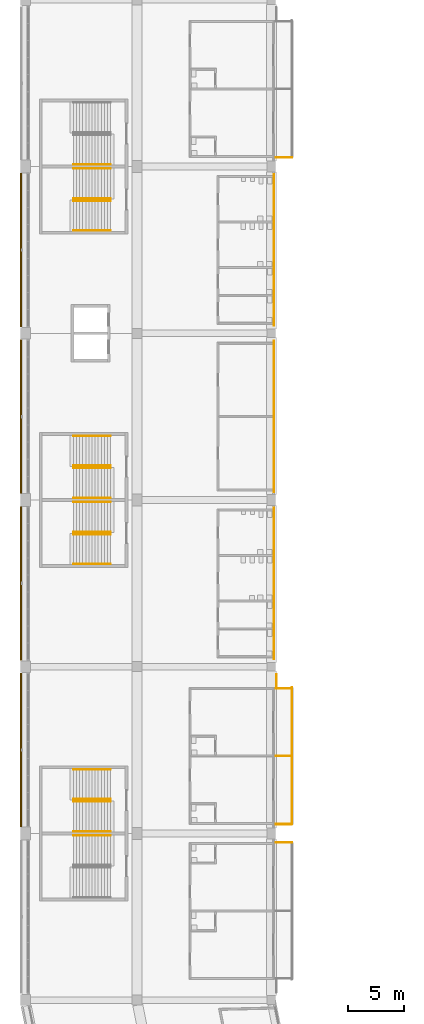
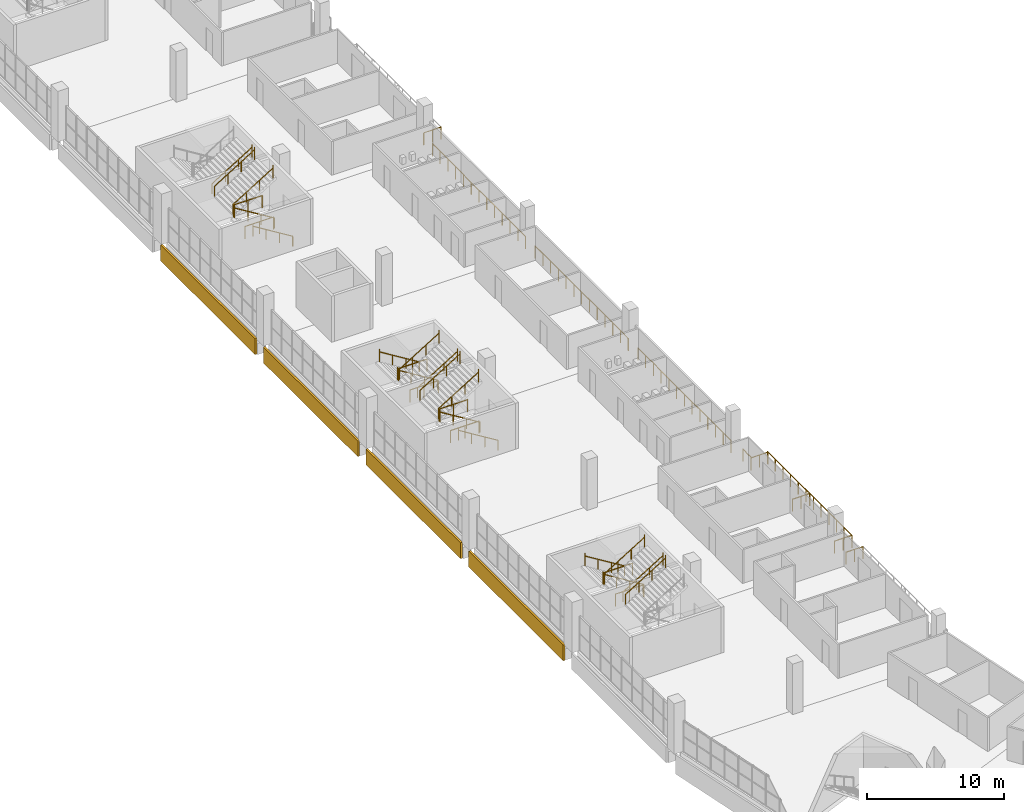
# One storey, part 186 of 199: 36 railings, 4 coverings.
"""IFC4 building model written with IfcOpenShell, lengths in metres."""

from ifc_helpers import new_model, si_unit, direction, frame, origin, origin_2d, place, context, subcontext, project, spatial, polyline, circle, outline, extrude, material, layer, layer_set, type_object, element, save


model = new_model("IFC4")

# Units and contexts
model_context = context("Model", 3, precision=1e-05, world=origin(), true_north=direction((0.0, 1.0)))
body_context = subcontext(model_context, "Body", "Model", "MODEL_VIEW")
ifc_project = project(units=[si_unit("LENGTHUNIT", "METRE"), si_unit("AREAUNIT", "SQUARE_METRE"), si_unit("VOLUMEUNIT", "CUBIC_METRE"), si_unit("PLANEANGLEUNIT", "RADIAN"), si_unit("MASSUNIT", "GRAM", prefix="KILO")], contexts=[model_context])

# Site, building, storey
site_placement = place(None, origin())
site = spatial("IfcSite", under=ifc_project, at=site_placement, CompositionType="ELEMENT")
building_placement = place(site_placement, origin())
building = spatial("IfcBuilding", under=site, at=building_placement, Name="Ogive Plaza Stadium", CompositionType="ELEMENT")
storey_placement = place(building_placement, frame((0.0, 0.0, 9.0)))
storey = spatial("IfcBuildingStorey", under=building, at=storey_placement, Name="L02", CompositionType="ELEMENT", Elevation=9.0)

# Railings
ifc_material_1 = material(Name="Steel ASTM A572 Grade 50", Category="steel")
railing_type_1 = type_object("IfcRailingType", Name="Guard 1100", PredefinedType="GUARDRAIL", material=ifc_material_1)
for number, where, name in (
    (1, (-76.35009765625, -34.52490234375, 0.0), "Stair well guard ST22A L02"),
    (2, (-77.31005859375, -34.52490234375, 2.25), "Stair well guard ST22A L02"),
    (3, (-76.35009765625, -4.52490234375, 0.0), "Stair well guard ST24A L02"),
    (4, (-77.31005859375, -4.52490234375, 2.25), "Stair well guard ST24A L02"),
    (5, (-76.35009765625, -10.47509765625, 0.0), "Stair well guard ST24B L02"),
    (6, (-77.31005859375, -10.47509765625, 2.25), "Stair well guard ST24B L02"),
    (7, (-76.35009765625, 19.52490234375, 0.0), "Stair well guard ST26B L02"),
    (8, (-77.31005859375, 19.52490234375, 2.25), "Stair well guard ST26B L02"),
):
    element("IfcRailing", number, at=place(storey_placement, frame(where)), inside=storey, type_object=railing_type_1, Name=name, PredefinedType="GUARDRAIL", context=body_context, shape_type="SweptSolid", body=[
        extrude(circle(Radius=0.02392578125, at=origin_2d()), frame((0.0, 0.0, 1.076171875), z_axis=(-1.0, 0.0, 0.0), x_axis=(0.0, -1.0, 0.0)), (0.0, 0.0, 1.0), 2.39990234375),
        extrude(circle(Radius=0.02099609375, at=origin_2d()), origin(), (0.0, 0.0, 1.0), 1.052001953125),
        extrude(circle(Radius=0.02099609375, at=origin_2d()), frame((-1.199951171875, 0.0, 0.0)), (0.0, 0.0, 1.0), 1.052001953125),
        extrude(circle(Radius=0.02099609375, at=origin_2d()), frame((-2.39990234375, 0.0, 0.0)), (0.0, 0.0, 1.0), 1.052001953125),
    ])
railing_1_placement = place(storey_placement, frame((-61.64990234375, -21.800048828125, 0.0)))
element("IfcRailing", 9, at=railing_1_placement, inside=storey, type_object=railing_type_1, Name="Guard L02 B23", PredefinedType="GUARDRAIL", context=body_context, shape_type="SweptSolid", body=[
    extrude(circle(Radius=0.02392578125, at=origin_2d()), frame((0.0, 0.0, 1.076171875), z_axis=(0.0, 1.0, 0.0), x_axis=(-1.0, 0.0, 0.0)), (0.0, 0.0, 1.0), 13.60009765625),
    extrude(circle(Radius=0.02099609375, at=origin_2d()), origin(), (0.0, 0.0, 1.0), 1.052001953125),
    extrude(circle(Radius=0.02099609375, at=origin_2d()), frame((0.0, 1.13330078125, 0.0)), (0.0, 0.0, 1.0), 1.052001953125),
    extrude(circle(Radius=0.02099609375, at=origin_2d()), frame((0.0, 2.2666015625, 0.0)), (0.0, 0.0, 1.0), 1.052001953125),
    extrude(circle(Radius=0.02099609375, at=origin_2d()), frame((0.0, 3.39990234375, 0.0)), (0.0, 0.0, 1.0), 1.052001953125),
    extrude(circle(Radius=0.02099609375, at=origin_2d()), frame((0.0, 4.533447265625, 0.0)), (0.0, 0.0, 1.0), 1.052001953125),
    extrude(circle(Radius=0.02099609375, at=origin_2d()), frame((0.0, 5.666748046875, 0.0)), (0.0, 0.0, 1.0), 1.052001953125),
    extrude(circle(Radius=0.02099609375, at=origin_2d()), frame((0.0, 6.800048828125, 0.0)), (0.0, 0.0, 1.0), 1.052001953125),
    extrude(circle(Radius=0.02099609375, at=origin_2d()), frame((0.0, 7.933349609375, 0.0)), (0.0, 0.0, 1.0), 1.052001953125),
    extrude(circle(Radius=0.02099609375, at=origin_2d()), frame((0.0, 9.066650390625, 0.0)), (0.0, 0.0, 1.0), 1.052001953125),
    extrude(circle(Radius=0.02099609375, at=origin_2d()), frame((0.0, 10.2001953125, 0.0)), (0.0, 0.0, 1.0), 1.052001953125),
    extrude(circle(Radius=0.02099609375, at=origin_2d()), frame((0.0, 11.33349609375, 0.0)), (0.0, 0.0, 1.0), 1.052001953125),
    extrude(circle(Radius=0.02099609375, at=origin_2d()), frame((0.0, 12.466796875, 0.0)), (0.0, 0.0, 1.0), 1.052001953125),
    extrude(circle(Radius=0.02099609375, at=origin_2d()), frame((0.0, 13.60009765625, 0.0)), (0.0, 0.0, 1.0), 1.052001953125),
])
railing_2_placement = place(storey_placement, frame((-61.64990234375, -6.800048828125, 0.0)))
element("IfcRailing", 10, at=railing_2_placement, inside=storey, type_object=railing_type_1, Name="Guard L02 B24", PredefinedType="GUARDRAIL", context=body_context, shape_type="SweptSolid", body=[
    extrude(circle(Radius=0.02392578125, at=origin_2d()), frame((0.0, 0.0, 1.076171875), z_axis=(0.0, 1.0, 0.0), x_axis=(-1.0, 0.0, 0.0)), (0.0, 0.0, 1.0), 13.60009765625),
    extrude(circle(Radius=0.02099609375, at=origin_2d()), origin(), (0.0, 0.0, 1.0), 1.052001953125),
    extrude(circle(Radius=0.02099609375, at=origin_2d()), frame((0.0, 1.13330078125, 0.0)), (0.0, 0.0, 1.0), 1.052001953125),
    extrude(circle(Radius=0.02099609375, at=origin_2d()), frame((0.0, 2.2666015625, 0.0)), (0.0, 0.0, 1.0), 1.052001953125),
    extrude(circle(Radius=0.02099609375, at=origin_2d()), frame((0.0, 3.39990234375, 0.0)), (0.0, 0.0, 1.0), 1.052001953125),
    extrude(circle(Radius=0.02099609375, at=origin_2d()), frame((0.0, 4.533447265625, 0.0)), (0.0, 0.0, 1.0), 1.052001953125),
    extrude(circle(Radius=0.02099609375, at=origin_2d()), frame((0.0, 5.666748046875, 0.0)), (0.0, 0.0, 1.0), 1.052001953125),
    extrude(circle(Radius=0.02099609375, at=origin_2d()), frame((0.0, 6.800048828125, 0.0)), (0.0, 0.0, 1.0), 1.052001953125),
    extrude(circle(Radius=0.02099609375, at=origin_2d()), frame((0.0, 7.933349609375, 0.0)), (0.0, 0.0, 1.0), 1.052001953125),
    extrude(circle(Radius=0.02099609375, at=origin_2d()), frame((0.0, 9.066650390625, 0.0)), (0.0, 0.0, 1.0), 1.052001953125),
    extrude(circle(Radius=0.02099609375, at=origin_2d()), frame((0.0, 10.2001953125, 0.0)), (0.0, 0.0, 1.0), 1.052001953125),
    extrude(circle(Radius=0.02099609375, at=origin_2d()), frame((0.0, 11.33349609375, 0.0)), (0.0, 0.0, 1.0), 1.052001953125),
    extrude(circle(Radius=0.02099609375, at=origin_2d()), frame((0.0, 12.466796875, 0.0)), (0.0, 0.0, 1.0), 1.052001953125),
    extrude(circle(Radius=0.02099609375, at=origin_2d()), frame((0.0, 13.60009765625, 0.0)), (0.0, 0.0, 1.0), 1.052001953125),
])
railing_3_placement = place(storey_placement, frame((-61.64990234375, 8.199951171875, 0.0)))
element("IfcRailing", 11, at=railing_3_placement, inside=storey, type_object=railing_type_1, Name="Guard L02 B25", PredefinedType="GUARDRAIL", context=body_context, shape_type="SweptSolid", body=[
    extrude(circle(Radius=0.02392578125, at=origin_2d()), frame((0.0, 0.0, 1.076171875), z_axis=(0.0, 1.0, 0.0), x_axis=(-1.0, 0.0, 0.0)), (0.0, 0.0, 1.0), 13.60009765625),
    extrude(circle(Radius=0.02099609375, at=origin_2d()), origin(), (0.0, 0.0, 1.0), 1.052001953125),
    extrude(circle(Radius=0.02099609375, at=origin_2d()), frame((0.0, 1.13330078125, 0.0)), (0.0, 0.0, 1.0), 1.052001953125),
    extrude(circle(Radius=0.02099609375, at=origin_2d()), frame((0.0, 2.2666015625, 0.0)), (0.0, 0.0, 1.0), 1.052001953125),
    extrude(circle(Radius=0.02099609375, at=origin_2d()), frame((0.0, 3.39990234375, 0.0)), (0.0, 0.0, 1.0), 1.052001953125),
    extrude(circle(Radius=0.02099609375, at=origin_2d()), frame((0.0, 4.533447265625, 0.0)), (0.0, 0.0, 1.0), 1.052001953125),
    extrude(circle(Radius=0.02099609375, at=origin_2d()), frame((0.0, 5.666748046875, 0.0)), (0.0, 0.0, 1.0), 1.052001953125),
    extrude(circle(Radius=0.02099609375, at=origin_2d()), frame((0.0, 6.800048828125, 0.0)), (0.0, 0.0, 1.0), 1.052001953125),
    extrude(circle(Radius=0.02099609375, at=origin_2d()), frame((0.0, 7.933349609375, 0.0)), (0.0, 0.0, 1.0), 1.052001953125),
    extrude(circle(Radius=0.02099609375, at=origin_2d()), frame((0.0, 9.066650390625, 0.0)), (0.0, 0.0, 1.0), 1.052001953125),
    extrude(circle(Radius=0.02099609375, at=origin_2d()), frame((0.0, 10.2001953125, 0.0)), (0.0, 0.0, 1.0), 1.052001953125),
    extrude(circle(Radius=0.02099609375, at=origin_2d()), frame((0.0, 11.33349609375, 0.0)), (0.0, 0.0, 1.0), 1.052001953125),
    extrude(circle(Radius=0.02099609375, at=origin_2d()), frame((0.0, 12.466796875, 0.0)), (0.0, 0.0, 1.0), 1.052001953125),
    extrude(circle(Radius=0.02099609375, at=origin_2d()), frame((0.0, 13.60009765625, 0.0)), (0.0, 0.0, 1.0), 1.052001953125),
])
railing_4_placement = place(storey_placement, frame((-60.050048828125, -38.324951171875, 0.0)))
element("IfcRailing", 12, at=railing_4_placement, inside=storey, type_object=railing_type_1, Name="Terrace screen B21", PredefinedType="GUARDRAIL", context=body_context, shape_type="SweptSolid", body=[
    extrude(circle(Radius=0.02392578125, at=origin_2d()), frame((0.0, 0.0, 1.076171875), z_axis=(-1.0, 0.0, 0.0), x_axis=(0.0, -1.0, 0.0)), (0.0, 0.0, 1.0), 1.449951171875),
    extrude(circle(Radius=0.02099609375, at=origin_2d()), origin(), (0.0, 0.0, 1.0), 1.052001953125),
    extrude(circle(Radius=0.02099609375, at=origin_2d()), frame((-0.72509765625, 0.0, 0.0)), (0.0, 0.0, 1.0), 1.052001953125),
    extrude(circle(Radius=0.02099609375, at=origin_2d()), frame((-1.449951171875, 0.0, 0.0)), (0.0, 0.0, 1.0), 1.052001953125),
])
railing_5_placement = place(storey_placement, frame((-60.050048828125, -36.675048828125, 0.0)))
element("IfcRailing", 13, at=railing_5_placement, inside=storey, type_object=railing_type_1, Name="Terrace guard B22", PredefinedType="GUARDRAIL", context=body_context, shape_type="SweptSolid", body=[
    extrude(circle(Radius=0.02392578125, at=origin_2d()), frame((0.0, 0.0, 1.076171875), z_axis=(0.0, 1.0, 0.0), x_axis=(-1.0, 0.0, 0.0)), (0.0, 0.0, 1.0), 12.300048828125),
    extrude(circle(Radius=0.02099609375, at=origin_2d()), origin(), (0.0, 0.0, 1.0), 1.052001953125),
    extrude(circle(Radius=0.02099609375, at=origin_2d()), frame((0.0, 1.1181640625, 0.0)), (0.0, 0.0, 1.0), 1.052001953125),
    extrude(circle(Radius=0.02099609375, at=origin_2d()), frame((0.0, 2.236328125, 0.0)), (0.0, 0.0, 1.0), 1.052001953125),
    extrude(circle(Radius=0.02099609375, at=origin_2d()), frame((0.0, 3.3544921875, 0.0)), (0.0, 0.0, 1.0), 1.052001953125),
    extrude(circle(Radius=0.02099609375, at=origin_2d()), frame((0.0, 4.47265625, 0.0)), (0.0, 0.0, 1.0), 1.052001953125),
    extrude(circle(Radius=0.02099609375, at=origin_2d()), frame((0.0, 5.5908203125, 0.0)), (0.0, 0.0, 1.0), 1.052001953125),
    extrude(circle(Radius=0.02099609375, at=origin_2d()), frame((0.0, 6.709228515625, 0.0)), (0.0, 0.0, 1.0), 1.052001953125),
    extrude(circle(Radius=0.02099609375, at=origin_2d()), frame((0.0, 7.827392578125, 0.0)), (0.0, 0.0, 1.0), 1.052001953125),
    extrude(circle(Radius=0.02099609375, at=origin_2d()), frame((0.0, 8.945556640625, 0.0)), (0.0, 0.0, 1.0), 1.052001953125),
    extrude(circle(Radius=0.02099609375, at=origin_2d()), frame((0.0, 10.063720703125, 0.0)), (0.0, 0.0, 1.0), 1.052001953125),
    extrude(circle(Radius=0.02099609375, at=origin_2d()), frame((0.0, 11.181884765625, 0.0)), (0.0, 0.0, 1.0), 1.052001953125),
    extrude(circle(Radius=0.02099609375, at=origin_2d()), frame((0.0, 12.300048828125, 0.0)), (0.0, 0.0, 1.0), 1.052001953125),
])
railing_6_placement = place(storey_placement, frame((-61.449951171875, -24.375, 0.0)))
element("IfcRailing", 14, at=railing_6_placement, inside=storey, type_object=railing_type_1, Name="Floor edge guard B22", PredefinedType="GUARDRAIL", context=body_context, shape_type="SweptSolid", body=[
    extrude(circle(Radius=0.02392578125, at=origin_2d()), frame((0.0, 0.0, 1.076171875), z_axis=(0.0, 1.0, 0.0), x_axis=(-1.0, 0.0, 0.0)), (0.0, 0.0, 1.0), 1.175048828125),
    extrude(circle(Radius=0.02099609375, at=origin_2d()), origin(), (0.0, 0.0, 1.0), 1.052001953125),
    extrude(circle(Radius=0.02099609375, at=origin_2d()), frame((0.0, 1.175048828125, 0.0)), (0.0, 0.0, 1.0), 1.052001953125),
])
for number, where, name in (
    (15, (-60.050048828125, -36.675048828125, 0.0), "Terrace screen B22"),
    (16, (-60.050048828125, -30.52490234375, 0.0), "Terrace screen B22"),
    (17, (-60.050048828125, -24.449951171875, 0.0), "Terrace screen B22"),
    (18, (-60.050048828125, 23.324951171875, 0.0), "Terrace screen B26"),
):
    element("IfcRailing", number, at=place(storey_placement, frame(where)), inside=storey, type_object=railing_type_1, Name=name, PredefinedType="GUARDRAIL", context=body_context, shape_type="SweptSolid", body=[
        extrude(circle(Radius=0.02392578125, at=origin_2d()), frame((0.0, 0.0, 1.076171875), z_axis=(-1.0, 0.0, 0.0), x_axis=(0.0, -1.0, 0.0)), (0.0, 0.0, 1.0), 1.449951171875),
        extrude(circle(Radius=0.02099609375, at=origin_2d()), origin(), (0.0, 0.0, 1.0), 1.052001953125),
        extrude(circle(Radius=0.02099609375, at=origin_2d()), frame((-0.72509765625, 0.0, 0.0)), (0.0, 0.0, 1.0), 1.052001953125),
        extrude(circle(Radius=0.02099609375, at=origin_2d()), frame((-1.449951171875, 0.0, 0.0)), (0.0, 0.0, 1.0), 1.052001953125),
    ])
ifc_material_2 = material(Name="Steel ASTM A572 Grade 50", Category="steel")
railing_type_2 = type_object("IfcRailingType", Name="Handrail 900", PredefinedType="HANDRAIL", material=ifc_material_2)
for number, where, name in (
    (19, (-76.35009765625, -31.735107421875, 0.173095703125), "Handrail ST22A L02"),
    (20, (-76.35009765625, -34.4150390625, 0.173095703125), "Handrail ST22A L02"),
):
    element("IfcRailing", number, at=place(storey_placement, frame(where)), inside=storey, type_object=railing_type_2, Name=name, PredefinedType="HANDRAIL", context=body_context, shape_type="SweptSolid", body=[
        extrude(circle(Radius=0.02392578125, at=origin_2d()), frame((0.0, 0.0, 0.8759765625), z_axis=(-0.850606129759, 0.0, 0.525803396734), x_axis=(0.0, -1.0, 0.0)), (0.0, 0.0, 1.0), 3.949951171875),
        extrude(circle(Radius=0.02099609375, at=origin_2d()), origin(), (0.0, 0.0, 1.0), 0.851806640625),
        extrude(circle(Radius=0.02099609375, at=origin_2d()), frame((-1.119873046875, 0.0, 0.6923828125)), (0.0, 0.0, 1.0), 0.851806640625),
        extrude(circle(Radius=0.02099609375, at=origin_2d()), frame((-2.239990234375, 0.0, 1.384521484375)), (0.0, 0.0, 1.0), 0.851806640625),
        extrude(circle(Radius=0.02099609375, at=origin_2d()), frame((-3.35986328125, 0.0, 2.076904296875)), (0.0, 0.0, 1.0), 1.10009765625),
    ])
for number, where, name in (
    (21, (-79.7099609375, -34.635009765625, 2.423095703125), "Handrail ST22A L02"),
    (22, (-79.7099609375, -37.31494140625, 2.423095703125), "Handrail ST22A L02"),
    (23, (-79.7099609375, -37.68505859375, 2.423095703125), "Handrail ST22B L02"),
):
    element("IfcRailing", number, at=place(storey_placement, frame(where)), inside=storey, type_object=railing_type_2, Name=name, PredefinedType="HANDRAIL", context=body_context, shape_type="SweptSolid", body=[
        extrude(circle(Radius=0.02392578125, at=origin_2d()), frame((0.0, 0.0, 0.8759765625), z_axis=(0.850606129759, 0.0, 0.525803396734), x_axis=(0.0, 1.0, 0.0)), (0.0, 0.0, 1.0), 3.949951171875),
        extrude(circle(Radius=0.02099609375, at=origin_2d()), origin(), (0.0, 0.0, 1.0), 0.851806640625),
        extrude(circle(Radius=0.02099609375, at=origin_2d()), frame((1.119873046875, 0.0, 0.6923828125)), (0.0, 0.0, 1.0), 0.851806640625),
        extrude(circle(Radius=0.02099609375, at=origin_2d()), frame((2.239990234375, 0.0, 1.384521484375)), (0.0, 0.0, 1.0), 0.851806640625),
        extrude(circle(Radius=0.02099609375, at=origin_2d()), frame((3.35986328125, 0.0, 2.076904296875)), (0.0, 0.0, 1.0), 1.10009765625),
    ])
for number, where, name in (
    (24, (-76.35009765625, -1.735107421875, 0.173095703125), "Handrail ST24A L02"),
    (25, (-76.35009765625, -4.4150390625, 0.173095703125), "Handrail ST24A L02"),
):
    element("IfcRailing", number, at=place(storey_placement, frame(where)), inside=storey, type_object=railing_type_2, Name=name, PredefinedType="HANDRAIL", context=body_context, shape_type="SweptSolid", body=[
        extrude(circle(Radius=0.02392578125, at=origin_2d()), frame((0.0, 0.0, 0.8759765625), z_axis=(-0.850606129759, 0.0, 0.525803396734), x_axis=(0.0, -1.0, 0.0)), (0.0, 0.0, 1.0), 3.949951171875),
        extrude(circle(Radius=0.02099609375, at=origin_2d()), origin(), (0.0, 0.0, 1.0), 0.851806640625),
        extrude(circle(Radius=0.02099609375, at=origin_2d()), frame((-1.119873046875, 0.0, 0.6923828125)), (0.0, 0.0, 1.0), 0.851806640625),
        extrude(circle(Radius=0.02099609375, at=origin_2d()), frame((-2.239990234375, 0.0, 1.384521484375)), (0.0, 0.0, 1.0), 0.851806640625),
        extrude(circle(Radius=0.02099609375, at=origin_2d()), frame((-3.35986328125, 0.0, 2.076904296875)), (0.0, 0.0, 1.0), 1.10009765625),
    ])
for number, where, name in (
    (26, (-79.7099609375, -4.635009765625, 2.423095703125), "Handrail ST24A L02"),
    (27, (-79.7099609375, -7.31494140625, 2.423095703125), "Handrail ST24A L02"),
):
    element("IfcRailing", number, at=place(storey_placement, frame(where)), inside=storey, type_object=railing_type_2, Name=name, PredefinedType="HANDRAIL", context=body_context, shape_type="SweptSolid", body=[
        extrude(circle(Radius=0.02392578125, at=origin_2d()), frame((0.0, 0.0, 0.8759765625), z_axis=(0.850606129759, 0.0, 0.525803396734), x_axis=(0.0, 1.0, 0.0)), (0.0, 0.0, 1.0), 3.949951171875),
        extrude(circle(Radius=0.02099609375, at=origin_2d()), origin(), (0.0, 0.0, 1.0), 0.851806640625),
        extrude(circle(Radius=0.02099609375, at=origin_2d()), frame((1.119873046875, 0.0, 0.6923828125)), (0.0, 0.0, 1.0), 0.851806640625),
        extrude(circle(Radius=0.02099609375, at=origin_2d()), frame((2.239990234375, 0.0, 1.384521484375)), (0.0, 0.0, 1.0), 0.851806640625),
        extrude(circle(Radius=0.02099609375, at=origin_2d()), frame((3.35986328125, 0.0, 2.076904296875)), (0.0, 0.0, 1.0), 1.10009765625),
    ])
for number, where, name in (
    (28, (-76.35009765625, -10.5849609375, 0.173095703125), "Handrail ST24B L02"),
    (29, (-76.35009765625, -13.264892578125, 0.173095703125), "Handrail ST24B L02"),
):
    element("IfcRailing", number, at=place(storey_placement, frame(where)), inside=storey, type_object=railing_type_2, Name=name, PredefinedType="HANDRAIL", context=body_context, shape_type="SweptSolid", body=[
        extrude(circle(Radius=0.02392578125, at=origin_2d()), frame((0.0, 0.0, 0.8759765625), z_axis=(-0.850606129759, 0.0, 0.525803396734), x_axis=(0.0, -1.0, 0.0)), (0.0, 0.0, 1.0), 3.949951171875),
        extrude(circle(Radius=0.02099609375, at=origin_2d()), origin(), (0.0, 0.0, 1.0), 0.851806640625),
        extrude(circle(Radius=0.02099609375, at=origin_2d()), frame((-1.119873046875, 0.0, 0.6923828125)), (0.0, 0.0, 1.0), 0.851806640625),
        extrude(circle(Radius=0.02099609375, at=origin_2d()), frame((-2.239990234375, 0.0, 1.384521484375)), (0.0, 0.0, 1.0), 0.851806640625),
        extrude(circle(Radius=0.02099609375, at=origin_2d()), frame((-3.35986328125, 0.0, 2.076904296875)), (0.0, 0.0, 1.0), 1.10009765625),
    ])
for number, where, name in (
    (30, (-79.7099609375, -7.68505859375, 2.423095703125), "Handrail ST24B L02"),
    (31, (-79.7099609375, -10.364990234375, 2.423095703125), "Handrail ST24B L02"),
    (32, (-79.7099609375, 22.68505859375, 2.423095703125), "Handrail ST26A L02"),
):
    element("IfcRailing", number, at=place(storey_placement, frame(where)), inside=storey, type_object=railing_type_2, Name=name, PredefinedType="HANDRAIL", context=body_context, shape_type="SweptSolid", body=[
        extrude(circle(Radius=0.02392578125, at=origin_2d()), frame((0.0, 0.0, 0.8759765625), z_axis=(0.850606129759, 0.0, 0.525803396734), x_axis=(0.0, 1.0, 0.0)), (0.0, 0.0, 1.0), 3.949951171875),
        extrude(circle(Radius=0.02099609375, at=origin_2d()), origin(), (0.0, 0.0, 1.0), 0.851806640625),
        extrude(circle(Radius=0.02099609375, at=origin_2d()), frame((1.119873046875, 0.0, 0.6923828125)), (0.0, 0.0, 1.0), 0.851806640625),
        extrude(circle(Radius=0.02099609375, at=origin_2d()), frame((2.239990234375, 0.0, 1.384521484375)), (0.0, 0.0, 1.0), 0.851806640625),
        extrude(circle(Radius=0.02099609375, at=origin_2d()), frame((3.35986328125, 0.0, 2.076904296875)), (0.0, 0.0, 1.0), 1.10009765625),
    ])
for number, where, name in (
    (33, (-76.35009765625, 19.4150390625, 0.173095703125), "Handrail ST26B L02"),
    (34, (-76.35009765625, 16.735107421875, 0.173095703125), "Handrail ST26B L02"),
):
    element("IfcRailing", number, at=place(storey_placement, frame(where)), inside=storey, type_object=railing_type_2, Name=name, PredefinedType="HANDRAIL", context=body_context, shape_type="SweptSolid", body=[
        extrude(circle(Radius=0.02392578125, at=origin_2d()), frame((0.0, 0.0, 0.8759765625), z_axis=(-0.850606129759, 0.0, 0.525803396734), x_axis=(0.0, -1.0, 0.0)), (0.0, 0.0, 1.0), 3.949951171875),
        extrude(circle(Radius=0.02099609375, at=origin_2d()), origin(), (0.0, 0.0, 1.0), 0.851806640625),
        extrude(circle(Radius=0.02099609375, at=origin_2d()), frame((-1.119873046875, 0.0, 0.6923828125)), (0.0, 0.0, 1.0), 0.851806640625),
        extrude(circle(Radius=0.02099609375, at=origin_2d()), frame((-2.239990234375, 0.0, 1.384521484375)), (0.0, 0.0, 1.0), 0.851806640625),
        extrude(circle(Radius=0.02099609375, at=origin_2d()), frame((-3.35986328125, 0.0, 2.076904296875)), (0.0, 0.0, 1.0), 1.10009765625),
    ])
for number, where, name in (
    (35, (-79.7099609375, 22.31494140625, 2.423095703125), "Handrail ST26B L02"),
    (36, (-79.7099609375, 19.635009765625, 2.423095703125), "Handrail ST26B L02"),
):
    element("IfcRailing", number, at=place(storey_placement, frame(where)), inside=storey, type_object=railing_type_2, Name=name, PredefinedType="HANDRAIL", context=body_context, shape_type="SweptSolid", body=[
        extrude(circle(Radius=0.02392578125, at=origin_2d()), frame((0.0, 0.0, 0.8759765625), z_axis=(0.850606129759, 0.0, 0.525803396734), x_axis=(0.0, 1.0, 0.0)), (0.0, 0.0, 1.0), 3.949951171875),
        extrude(circle(Radius=0.02099609375, at=origin_2d()), origin(), (0.0, 0.0, 1.0), 0.851806640625),
        extrude(circle(Radius=0.02099609375, at=origin_2d()), frame((1.119873046875, 0.0, 0.6923828125)), (0.0, 0.0, 1.0), 0.851806640625),
        extrude(circle(Radius=0.02099609375, at=origin_2d()), frame((2.239990234375, 0.0, 1.384521484375)), (0.0, 0.0, 1.0), 0.851806640625),
        extrude(circle(Radius=0.02099609375, at=origin_2d()), frame((3.35986328125, 0.0, 2.076904296875)), (0.0, 0.0, 1.0), 1.10009765625),
    ])

# Coverings
ifc_material_3 = material(Name="Cast stone (reconstituted limestone)", Category="masonry")
ifc_layer = layer(ifc_material_3, 0.159912109375)
ifc_layer_set = layer_set([ifc_layer], Name="Precast spandrel cladding 160")
covering_type = type_object("IfcCoveringType", Name="Precast spandrel cladding 160", PredefinedType="CLADDING", material=ifc_layer_set)
covering_1_placement = place(storey_placement, frame((0.0, 0.0, -1.409912109375)))
element("IfcCovering", 37, at=covering_1_placement, inside=storey, type_object=covering_type, Name="SPANDREL CLADDING B22 L02", PredefinedType="CLADDING", context=body_context, shape_type="SweptSolid", body=[
    extrude(outline(polyline([(-84.35009765625, -36.89990234375), (-84.35009765625, -23.10009765625), (-84.510009765625, -23.10009765625), (-84.510009765625, -36.89990234375), (-84.35009765625, -36.89990234375)])), origin(), (0.0, 0.0, 1.0), 1.409912109375),
])
covering_2_placement = place(storey_placement, frame((0.0, 0.0, -1.409912109375)))
element("IfcCovering", 38, at=covering_2_placement, inside=storey, type_object=covering_type, Name="SPANDREL CLADDING B23 L02", PredefinedType="CLADDING", context=body_context, shape_type="SweptSolid", body=[
    extrude(outline(polyline([(-84.35009765625, -21.89990234375), (-84.35009765625, -8.10009765625), (-84.510009765625, -8.10009765625), (-84.510009765625, -21.89990234375), (-84.35009765625, -21.89990234375)])), origin(), (0.0, 0.0, 1.0), 1.409912109375),
])
covering_3_placement = place(storey_placement, frame((0.0, 0.0, -1.409912109375)))
element("IfcCovering", 39, at=covering_3_placement, inside=storey, type_object=covering_type, Name="SPANDREL CLADDING B24 L02", PredefinedType="CLADDING", context=body_context, shape_type="SweptSolid", body=[
    extrude(outline(polyline([(-84.35009765625, -6.89990234375), (-84.35009765625, 6.89990234375), (-84.510009765625, 6.89990234375), (-84.510009765625, -6.89990234375), (-84.35009765625, -6.89990234375)])), origin(), (0.0, 0.0, 1.0), 1.409912109375),
])
covering_4_placement = place(storey_placement, frame((0.0, 0.0, -1.409912109375)))
element("IfcCovering", 40, at=covering_4_placement, inside=storey, type_object=covering_type, Name="SPANDREL CLADDING B25 L02", PredefinedType="CLADDING", context=body_context, shape_type="SweptSolid", body=[
    extrude(outline(polyline([(-84.35009765625, 8.10009765625), (-84.35009765625, 21.89990234375), (-84.510009765625, 21.89990234375), (-84.510009765625, 8.10009765625), (-84.35009765625, 8.10009765625)])), origin(), (0.0, 0.0, 1.0), 1.409912109375),
])

save(model, "model.ifc")
